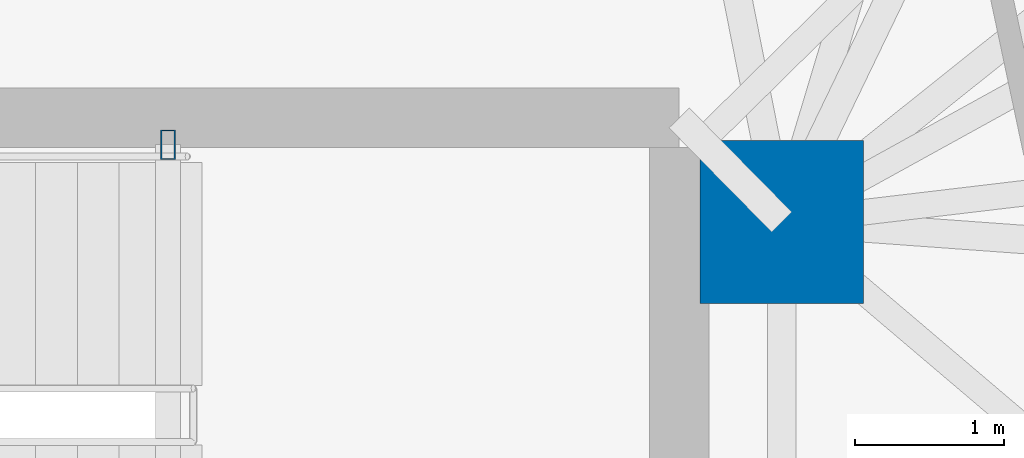
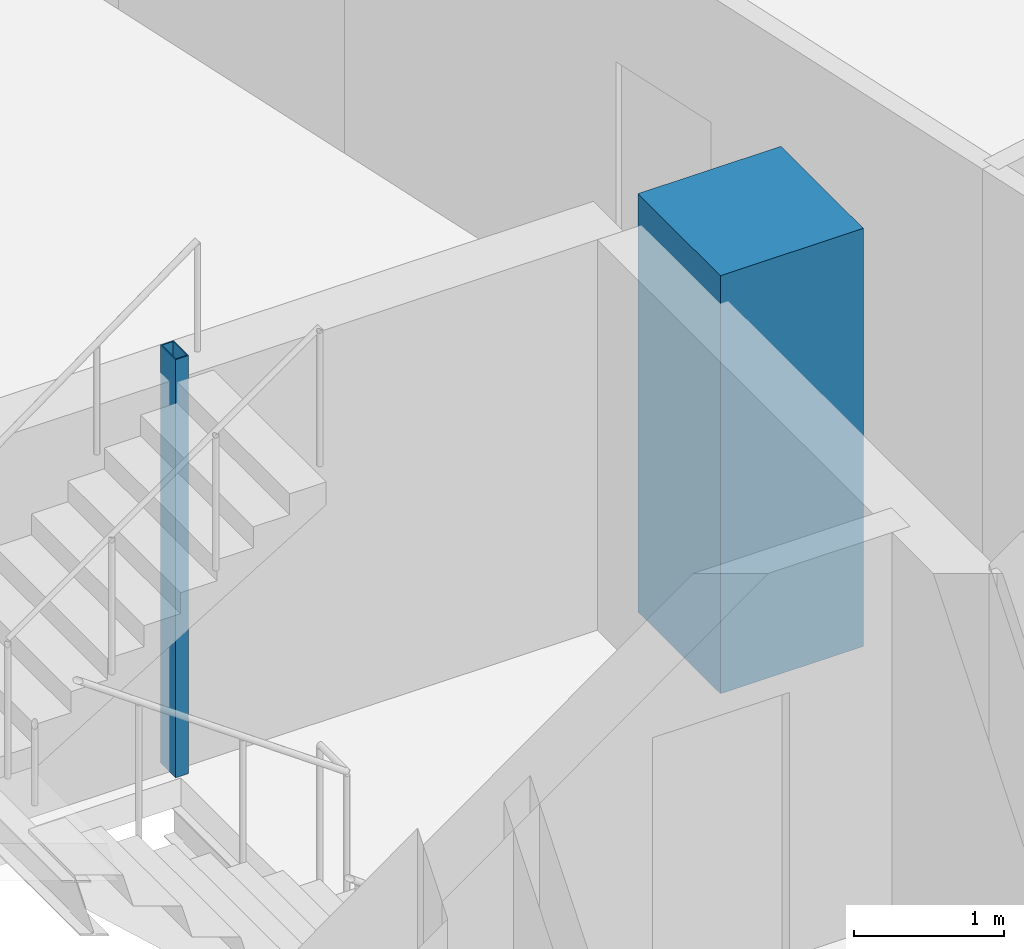
# One storey, part 4 of 20: 2 columns.
"""IFC4 building model written with IfcOpenShell, lengths in metres."""

from ifc_helpers import new_model, si_unit, direction, frame, origin, origin_2d, place, context, subcontext, project, spatial, rectangle, hollow_rectangle, extrude, material, material_profile, profile_set, type_object, element, save


model = new_model("IFC4")

# Units and contexts
model_context = context("Model", 3, precision=1e-05, world=origin(), true_north=direction((0.0, 1.0)))
body_context = subcontext(model_context, "Body", "Model", "MODEL_VIEW")
ifc_project = project(units=[si_unit("LENGTHUNIT", "METRE"), si_unit("AREAUNIT", "SQUARE_METRE"), si_unit("VOLUMEUNIT", "CUBIC_METRE"), si_unit("PLANEANGLEUNIT", "RADIAN"), si_unit("MASSUNIT", "GRAM", prefix="KILO")], contexts=[model_context])

# Site, building, storey
site_placement = place(None, origin())
site = spatial("IfcSite", under=ifc_project, at=site_placement, CompositionType="ELEMENT")
building_placement = place(site_placement, origin())
building = spatial("IfcBuilding", under=site, at=building_placement, Name="Menara Jurai Vektor", CompositionType="ELEMENT")
storey_placement = place(building_placement, frame((0.0, 0.0, 178.60009765625)))
storey = spatial("IfcBuildingStorey", under=building, at=storey_placement, Name="L46", CompositionType="ELEMENT", Elevation=178.60009765625)

# Columns
ifc_material_1 = material(Name="Concrete C50/60", Category="concrete")
ifc_material_profile_1 = material_profile(ifc_material_1, rectangle(XDim=1.10009765625, YDim=1.10009765625, at=origin_2d()), Name="RC 1100x1100")
ifc_profile_set_1 = profile_set([ifc_material_profile_1], Name="Concrete C50/60")
column_type_1 = type_object("IfcColumnType", Name="STR-COL-RC1100", PredefinedType="COLUMN", material=ifc_profile_set_1)
column_1_placement = place(storey_placement, frame((15.25, 4.89990234375, 0.0), z_axis=(0.0, 0.0, 1.0), x_axis=(1.0, 0.0, 0.0)))
element("IfcColumn", 1, at=column_1_placement, inside=storey, type_object=column_type_1, Name="Core Spine Column CE-NE L46", PredefinedType="COLUMN", context=body_context, shape_type="SweptSolid", body=[
    extrude(rectangle(XDim=1.10009765625, YDim=1.10009765625, at=origin_2d()), origin(), (0.0, 0.0, 1.0), 3.39990234375),
])
ifc_material_2 = material(Name="Steel S355", Category="steel")
ifc_material_profile_2 = material_profile(ifc_material_2, hollow_rectangle(XDim=0.10009765625, YDim=0.199951171875, WallThickness=0.008056640625, at=origin_2d()), Name="RHS 200x100x8")
ifc_profile_set_2 = profile_set([ifc_material_profile_2], Name="Steel S355")
column_type_2 = type_object("IfcColumnType", Name="STR-COL-STAIR", PredefinedType="COLUMN", material=ifc_profile_set_2)
column_2_placement = place(storey_placement, frame((11.1201171875, 5.419921875, 0.0), z_axis=(0.0, 0.0, 1.0), x_axis=(1.0, 0.0, 0.0)))
element("IfcColumn", 2, at=column_2_placement, inside=storey, type_object=column_type_2, Name="Stair Well Header Column ST2-P2 L46", PredefinedType="COLUMN", context=body_context, shape_type="SweptSolid", body=[
    extrude(hollow_rectangle(XDim=0.10009765625, YDim=0.199951171875, WallThickness=0.008056640625, at=origin_2d()), origin(), (0.0, 0.0, 1.0), 3.39990234375),
])

save(model, "model.ifc")
